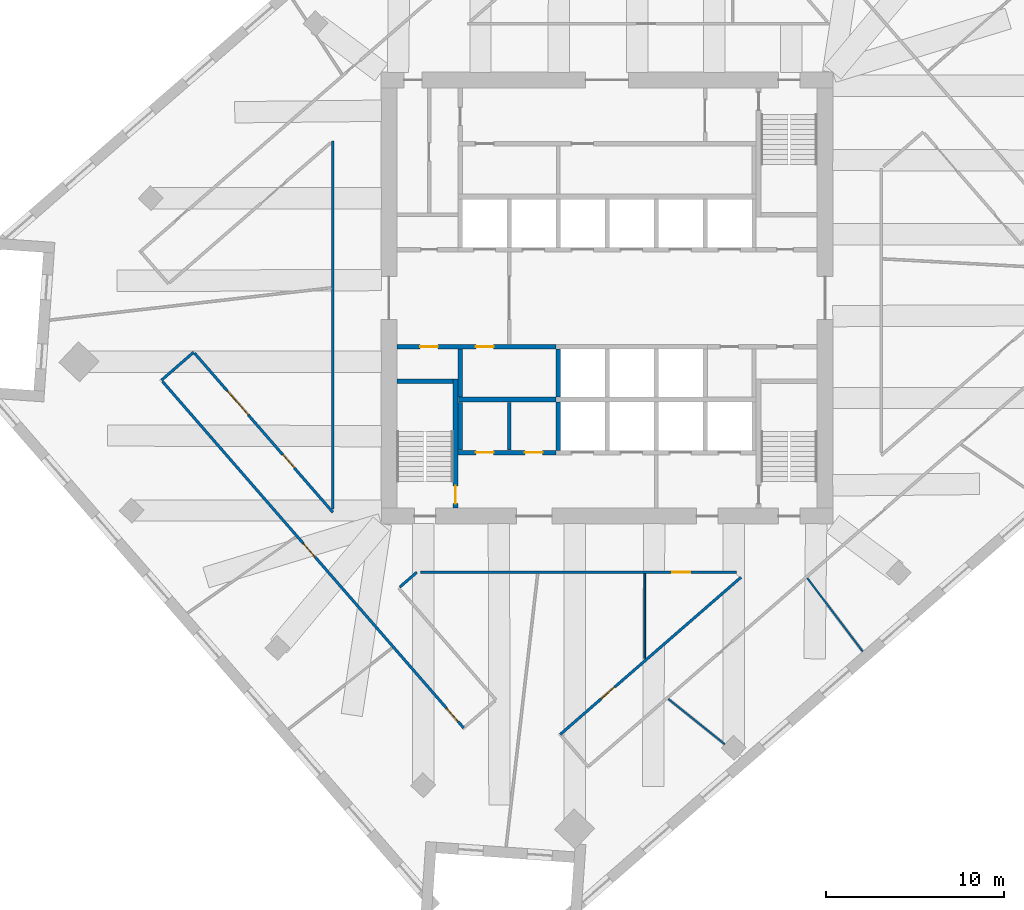
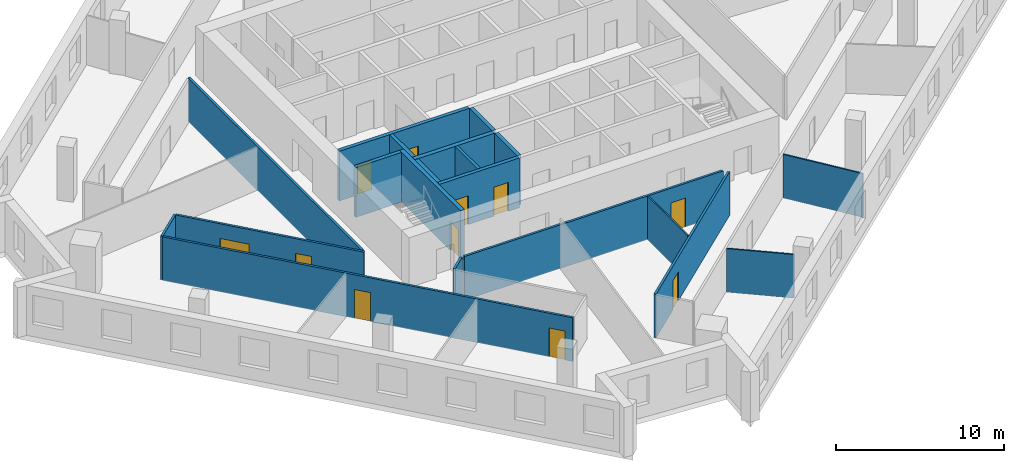
# One storey, part 4 of 11: 20 walls, 11 doors, 11 openings.
"""IFC4 building model written with IfcOpenShell, lengths in metres."""

from ifc_helpers import new_model, si_unit, direction, frame, frame_2d, origin, place, context, subcontext, project, spatial, rectangle, extrude, material, layer, layer_set, type_object, element, fill, save


model = new_model("IFC4")

# Units and contexts
model_context = context("Model", 3, precision=1e-05, world=origin(), true_north=direction((0.0, 1.0)))
body_context = subcontext(model_context, "Body", "Model", "MODEL_VIEW")
ifc_project = project(units=[si_unit("LENGTHUNIT", "METRE"), si_unit("AREAUNIT", "SQUARE_METRE"), si_unit("VOLUMEUNIT", "CUBIC_METRE"), si_unit("PLANEANGLEUNIT", "RADIAN"), si_unit("MASSUNIT", "GRAM", prefix="KILO")], contexts=[model_context])

# Site, building, storey
site_placement = place(None, origin())
site = spatial("IfcSite", under=ifc_project, at=site_placement, CompositionType="ELEMENT")
building_placement = place(site_placement, origin())
building = spatial("IfcBuilding", under=site, at=building_placement, Name="Dilmun Exchange Tower", CompositionType="ELEMENT")
storey_placement = place(building_placement, frame((0.0, 0.0, 189.300048828125)))
storey = spatial("IfcBuildingStorey", under=building, at=storey_placement, Name="L44", CompositionType="ELEMENT", Elevation=189.300048828125)

# Wall
ifc_material_1 = material(Name="Concrete C40/50", Category="concrete")
ifc_layer_1 = layer(ifc_material_1, 0.199951171875)
ifc_layer_set_1 = layer_set([ifc_layer_1], Name="Concrete C40/50")
wall_type_1 = type_object("IfcWallType", Name="Core partition wall 200", PredefinedType="PARTITIONING", material=ifc_layer_set_1)
wall_1_placement = place(storey_placement, frame((-5.5, -8.544921875, 0.0), z_axis=(0.0, 0.0, 1.0), x_axis=(0.0, 1.0, 0.0)))
element("IfcWall", 1, at=wall_1_placement, inside=storey, type_object=wall_type_1, Name="L44 core partition wall 04", PredefinedType="PARTITIONING", context=body_context, shape_type="SweptSolid", body=[
    extrude(rectangle(XDim=2.68994140625, YDim=0.199951171875, at=frame_2d((1.344970703125, 0.0))), origin(), (0.0, 0.0, 1.0), 3.619873046875),
])

# Wall, openings, doors
ifc_layer_2 = layer(ifc_material_1, 0.25)
ifc_layer_set_2 = layer_set([ifc_layer_2], Name="Concrete C40/50")
wall_type_2 = type_object("IfcWallType", Name="Core partition wall 250", PredefinedType="PARTITIONING", material=ifc_layer_set_2)
wall_2_placement = place(storey_placement, frame((-8.3701171875, -8.675048828125, 0.0), z_axis=(0.0, 0.0, 1.0), x_axis=(1.0, 0.0, 0.0)))
wall_2 = element("IfcWall", 2, at=wall_2_placement, inside=storey, type_object=wall_type_2, Name="L44 core partition wall 02", PredefinedType="PARTITIONING", context=body_context, shape_type="SweptSolid", body=[
    extrude(rectangle(XDim=5.490234375, YDim=0.25, at=frame_2d((2.7451171875, 0.0))), origin(), (0.0, 0.0, 1.0), 3.619873046875),
])
opening_1_placement = place(wall_2_placement, frame((0.9951171875, 0.0, 0.0)))
opening_1 = element("IfcOpeningElement", 3, at=opening_1_placement, cuts=wall_2, Name="Opening CD4", PredefinedType="OPENING", context=body_context, shape_type="SweptSolid", body=[
    extrude(rectangle(XDim=1.0, YDim=2.10009765625, at=frame_2d((0.5, 1.050048828125))), frame((0.0, 0.135009765625, 0.0), z_axis=(0.0, -1.0, 0.0), x_axis=(1.0, 0.0, 0.0)), (0.0, 0.0, 1.0), 0.27001953125),
])
opening_2_placement = place(wall_2_placement, frame((3.7451171875, 0.0, 0.0)))
opening_2 = element("IfcOpeningElement", 4, at=opening_2_placement, cuts=wall_2, Name="Opening CD4", PredefinedType="OPENING", context=body_context, shape_type="SweptSolid", body=[
    extrude(rectangle(XDim=1.0, YDim=2.10009765625, at=frame_2d((0.5, 1.050048828125))), frame((0.0, 0.135009765625, 0.0), z_axis=(0.0, -1.0, 0.0), x_axis=(1.0, 0.0, 0.0)), (0.0, 0.0, 1.0), 0.27001953125),
])
ifc_material_2 = material(Name="Fire-rated steel door set", Category="steel")
door_type_1 = type_object("IfcDoorType", Name="Core room door 1000x2100", OperationType="SINGLE_SWING_LEFT", PredefinedType="DOOR", material=ifc_material_2)
door_1_placement = place(opening_1_placement, origin())
door_1 = element("IfcDoor", 5, at=door_1_placement, inside=storey, type_object=door_type_1, Name="L44 door Male WC", OperationType="SINGLE_SWING_LEFT", OverallHeight=2.10009765625, OverallWidth=1.0, PredefinedType="DOOR", context=body_context, shape_type="SweptSolid", body=[
    extrude(rectangle(XDim=1.0, YDim=2.10009765625, at=frame_2d((0.5, 1.050048828125))), frame((0.0, 0.02490234375, 0.0), z_axis=(0.0, -1.0, 0.0), x_axis=(1.0, 0.0, 0.0)), (0.0, 0.0, 1.0), 0.050048828125),
])
fill(opening_1, door_1)
door_2_placement = place(opening_2_placement, origin())
door_2 = element("IfcDoor", 6, at=door_2_placement, inside=storey, type_object=door_type_1, Name="L44 door Female WC", OperationType="SINGLE_SWING_LEFT", OverallHeight=2.10009765625, OverallWidth=1.0, PredefinedType="DOOR", context=body_context, shape_type="SweptSolid", body=[
    extrude(rectangle(XDim=1.0, YDim=2.10009765625, at=frame_2d((0.5, 1.050048828125))), frame((0.0, 0.02490234375, 0.0), z_axis=(0.0, -1.0, 0.0), x_axis=(1.0, 0.0, 0.0)), (0.0, 0.0, 1.0), 0.050048828125),
])
fill(opening_2, door_2)

# Walls
for number, where, z_axis, x_axis, name in (
    (7, (-8.25, -8.544921875, 0.0), (0.0, 0.0, 1.0), (0.0, 1.0, 0.0), "L44 core partition wall 03"),
    (8, (-8.25, -5.544921875, 0.0), (0.0, 0.0, 1.0), (0.0, 1.0, 0.0), "L44 core partition wall 06"),
):
    element("IfcWall", number, at=place(storey_placement, frame(where, z_axis=z_axis, x_axis=x_axis)), inside=storey, type_object=wall_type_2, Name=name, PredefinedType="PARTITIONING", context=body_context, shape_type="SweptSolid", body=[
        extrude(rectangle(XDim=2.68994140625, YDim=0.25, at=frame_2d((1.344970703125, 0.0))), origin(), (0.0, 0.0, 1.0), 3.619873046875),
    ])

# Wall, openings, doors
wall_3_placement = place(storey_placement, frame((-11.794921875, -2.72509765625, 0.0), z_axis=(0.0, 0.0, 1.0), x_axis=(1.0, 0.0, 0.0)))
wall_3 = element("IfcWall", 9, at=wall_3_placement, inside=storey, type_object=wall_type_2, Name="L44 core partition wall 08", PredefinedType="PARTITIONING", context=body_context, shape_type="SweptSolid", body=[
    extrude(rectangle(XDim=8.9150390625, YDim=0.25, at=frame_2d((4.45751953125, 0.0))), origin(), (0.0, 0.0, 1.0), 3.619873046875),
])
opening_3_placement = place(wall_3_placement, frame((1.294921875, 0.0, 0.0)))
opening_3 = element("IfcOpeningElement", 10, at=opening_3_placement, cuts=wall_3, Name="Opening CD4", PredefinedType="OPENING", context=body_context, shape_type="SweptSolid", body=[
    extrude(rectangle(XDim=1.0, YDim=2.10009765625, at=frame_2d((0.5, 1.050048828125))), frame((0.0, 0.135009765625, 0.0), z_axis=(0.0, -1.0, 0.0), x_axis=(1.0, 0.0, 0.0)), (0.0, 0.0, 1.0), 0.27001953125),
])
opening_4_placement = place(wall_3_placement, frame((4.419921875, 0.0, 0.0)))
opening_4 = element("IfcOpeningElement", 11, at=opening_4_placement, cuts=wall_3, Name="Opening CD4", PredefinedType="OPENING", context=body_context, shape_type="SweptSolid", body=[
    extrude(rectangle(XDim=1.0, YDim=2.10009765625, at=frame_2d((0.5, 1.050048828125))), frame((0.0, 0.135009765625, 0.0), z_axis=(0.0, -1.0, 0.0), x_axis=(1.0, 0.0, 0.0)), (0.0, 0.0, 1.0), 0.27001953125),
])
door_3_placement = place(opening_3_placement, origin())
door_3 = element("IfcDoor", 12, at=door_3_placement, inside=storey, type_object=door_type_1, Name="L44 door Accessible WC", OperationType="SINGLE_SWING_LEFT", OverallHeight=2.10009765625, OverallWidth=1.0, PredefinedType="DOOR", context=body_context, shape_type="SweptSolid", body=[
    extrude(rectangle(XDim=1.0, YDim=2.10009765625, at=frame_2d((0.5, 1.050048828125))), frame((0.0, 0.02490234375, 0.0), z_axis=(0.0, -1.0, 0.0), x_axis=(1.0, 0.0, 0.0)), (0.0, 0.0, 1.0), 0.050048828125),
])
fill(opening_3, door_3)
door_4_placement = place(opening_4_placement, origin())
door_4 = element("IfcDoor", 13, at=door_4_placement, inside=storey, type_object=door_type_1, Name="L44 door Archive store", OperationType="SINGLE_SWING_LEFT", OverallHeight=2.10009765625, OverallWidth=1.0, PredefinedType="DOOR", context=body_context, shape_type="SweptSolid", body=[
    extrude(rectangle(XDim=1.0, YDim=2.10009765625, at=frame_2d((0.5, 1.050048828125))), frame((0.0, 0.02490234375, 0.0), z_axis=(0.0, -1.0, 0.0), x_axis=(1.0, 0.0, 0.0)), (0.0, 0.0, 1.0), 0.050048828125),
])
fill(opening_4, door_4)

# Walls
ifc_layer_3 = layer(ifc_material_1, 0.300048828125)
ifc_layer_set_3 = layer_set([ifc_layer_3], Name="Concrete C40/50")
wall_type_3 = type_object("IfcWallType", Name="Core partition wall 300", PredefinedType="PARTITIONING", material=ifc_layer_set_3)
wall_4_placement = place(storey_placement, frame((-8.35009765625, -5.699951171875, 0.0), z_axis=(0.0, 0.0, 1.0), x_axis=(1.0, 0.0, 0.0)))
element("IfcWall", 14, at=wall_4_placement, inside=storey, type_object=wall_type_3, Name="L44 core partition wall 05", PredefinedType="PARTITIONING", context=body_context, shape_type="SweptSolid", body=[
    extrude(rectangle(XDim=5.47021484375, YDim=0.300048828125, at=frame_2d((2.735107421875, 0.0))), origin(), (0.0, 0.0, 1.0), 3.619873046875),
])
ifc_material_3 = material(Name="Corridor wall 150")
ifc_layer_4 = layer(ifc_material_3, 0.14990234375)
ifc_layer_set_4 = layer_set([ifc_layer_4], Name="Corridor wall 150")
wall_type_4 = type_object("IfcWallType", Name="Corridor wall 150", PredefinedType="PARTITIONING", material=ifc_layer_set_4)
wall_5_placement = place(storey_placement, frame((-25.029052734375, -4.615966796875, 0.0), z_axis=(0.0, 0.0, 1.0), x_axis=(0.75457705231, 0.656211453822, 0.0)))
element("IfcWall", 15, at=wall_5_placement, inside=storey, type_object=wall_type_4, Name="Corridor wall", PredefinedType="PARTITIONING", context=body_context, shape_type="SweptSolid", body=[
    extrude(rectangle(XDim=2.400146484375, YDim=0.14990234375, at=frame_2d((1.2001953125, 0.0))), origin(), (0.0, 0.0, 1.0), 3.169921875),
])

# Wall, openings, doors
wall_6_placement = place(storey_placement, frame((-24.979736328125, -4.672607421875, 0.0), z_axis=(0.0, 0.0, 1.0), x_axis=(0.656048444225, -0.754718781289, 0.0)))
wall_6 = element("IfcWall", 16, at=wall_6_placement, inside=storey, type_object=wall_type_4, Name="Corridor wall", PredefinedType="PARTITIONING", context=body_context, shape_type="SweptSolid", body=[
    extrude(rectangle(XDim=25.799560546875, YDim=0.14990234375, at=frame_2d((12.89990234375, 0.0))), origin(), (0.0, 0.0, 1.0), 3.169921875),
])
opening_5_placement = place(wall_6_placement, frame((12.07080078125, 0.0, 0.0)))
opening_5 = element("IfcOpeningElement", 17, at=opening_5_placement, cuts=wall_6, Name="Opening TF44-D05", PredefinedType="OPENING", context=body_context, shape_type="SweptSolid", body=[
    extrude(rectangle(XDim=1.0, YDim=2.10009765625, at=frame_2d((0.5, 1.050048828125))), frame((0.0, 0.0849609375, 0.0), z_axis=(0.0, -1.0, 0.0), x_axis=(1.0, 0.0, 0.0)), (0.0, 0.0, 1.0), 0.169921875),
])
opening_6_placement = place(wall_6_placement, frame((24.31787109375, 0.0, 0.0)))
opening_6 = element("IfcOpeningElement", 18, at=opening_6_placement, cuts=wall_6, Name="Opening TF44-D07", PredefinedType="OPENING", context=body_context, shape_type="SweptSolid", body=[
    extrude(rectangle(XDim=1.0, YDim=2.10009765625, at=frame_2d((0.5, 1.050048828125))), frame((0.0, 0.0849609375, 0.0), z_axis=(0.0, -1.0, 0.0), x_axis=(1.0, 0.0, 0.0)), (0.0, 0.0, 1.0), 0.169921875),
])
ifc_material_4 = material(Name="Fire door 1000 x 2100")
door_type_2 = type_object("IfcDoorType", Name="Fire door 1000 x 2100", OperationType="NOTDEFINED", PredefinedType="DOOR", material=ifc_material_4)
door_5_placement = place(opening_5_placement, frame((1.0, 0.0, 0.0), z_axis=(0.0, 0.0, 1.0), x_axis=(-1.0, 0.0, 0.0)))
door_5 = element("IfcDoor", 19, at=door_5_placement, inside=storey, type_object=door_type_2, Name="Door TF44-D05", OperationType="SINGLE_SWING_LEFT", OverallHeight=2.10009765625, OverallWidth=1.0, PredefinedType="DOOR", context=body_context, shape_type="SweptSolid", body=[
    extrude(rectangle(XDim=1.0, YDim=2.10009765625, at=frame_2d((0.5, 1.050048828125))), frame((0.0, 0.02490234375, 0.0), z_axis=(0.0, -1.0, 0.0), x_axis=(1.0, 0.0, 0.0)), (0.0, 0.0, 1.0), 0.050048828125),
])
fill(opening_5, door_5)
door_6_placement = place(opening_6_placement, frame((1.0, 0.0, 0.0), z_axis=(0.0, 0.0, 1.0), x_axis=(-1.0, 0.0, 0.0)))
door_6 = element("IfcDoor", 20, at=door_6_placement, inside=storey, type_object=door_type_2, Name="Door TF44-D07", OperationType="SINGLE_SWING_LEFT", OverallHeight=2.10009765625, OverallWidth=1.0, PredefinedType="DOOR", context=body_context, shape_type="SweptSolid", body=[
    extrude(rectangle(XDim=1.0, YDim=2.10009765625, at=frame_2d((0.5, 1.050048828125))), frame((0.0, 0.02490234375, 0.0), z_axis=(0.0, -1.0, 0.0), x_axis=(1.0, 0.0, 0.0)), (0.0, 0.0, 1.0), 0.050048828125),
])
fill(opening_6, door_6)

wall_7_placement = place(storey_placement, frame((-23.168701171875, -3.09765625, 0.0), z_axis=(0.0, 0.0, 1.0), x_axis=(0.656047525283, -0.754719580089, 0.0)))
wall_7 = element("IfcWall", 21, at=wall_7_placement, inside=storey, type_object=wall_type_4, Name="Corridor wall", PredefinedType="PARTITIONING", context=body_context, shape_type="SweptSolid", body=[
    extrude(rectangle(XDim=11.841796875, YDim=0.14990234375, at=frame_2d((5.9208984375, 0.0))), origin(), (0.0, 0.0, 1.0), 3.169921875),
])
opening_7_placement = place(wall_7_placement, frame((2.800048828125, 0.0, 0.0)))
opening_7 = element("IfcOpeningElement", 22, at=opening_7_placement, cuts=wall_7, Name="Opening TF44-D01", PredefinedType="OPENING", context=body_context, shape_type="SweptSolid", body=[
    extrude(rectangle(XDim=1.800048828125, YDim=2.10009765625, at=frame_2d((0.89990234375, 1.050048828125))), frame((0.0, 0.0849609375, 0.0), z_axis=(0.0, -1.0, 0.0), x_axis=(1.0, 0.0, 0.0)), (0.0, 0.0, 1.0), 0.169921875),
])
opening_8_placement = place(wall_7_placement, frame((7.550048828125, 0.0, 0.0)))
opening_8 = element("IfcOpeningElement", 23, at=opening_8_placement, cuts=wall_7, Name="Opening TF44-D02", PredefinedType="OPENING", context=body_context, shape_type="SweptSolid", body=[
    extrude(rectangle(XDim=1.0, YDim=2.10009765625, at=frame_2d((0.5, 1.050048828125))), frame((0.0, 0.0849609375, 0.0), z_axis=(0.0, -1.0, 0.0), x_axis=(1.0, 0.0, 0.0)), (0.0, 0.0, 1.0), 0.169921875),
])
door_7_placement = place(opening_8_placement, origin())
door_7 = element("IfcDoor", 24, at=door_7_placement, inside=storey, type_object=door_type_2, Name="Door TF44-D02", OperationType="SINGLE_SWING_RIGHT", OverallHeight=2.10009765625, OverallWidth=1.0, PredefinedType="DOOR", context=body_context, shape_type="SweptSolid", body=[
    extrude(rectangle(XDim=1.0, YDim=2.10009765625, at=frame_2d((0.5, 1.050048828125))), frame((0.0, 0.02490234375, 0.0), z_axis=(0.0, -1.0, 0.0), x_axis=(1.0, 0.0, 0.0)), (0.0, 0.0, 1.0), 0.050048828125),
])
fill(opening_8, door_7)
ifc_material_5 = material(Name="Fire door pair 1800 x 2100")
door_type_3 = type_object("IfcDoorType", Name="Fire door pair 1800 x 2100", OperationType="NOTDEFINED", PredefinedType="DOOR", material=ifc_material_5)
door_8_placement = place(opening_7_placement, origin())
door_8 = element("IfcDoor", 25, at=door_8_placement, inside=storey, type_object=door_type_3, Name="Door TF44-D01", OperationType="DOUBLE_DOOR_SINGLE_SWING", OverallHeight=2.10009765625, OverallWidth=1.800048828125, PredefinedType="DOOR", context=body_context, shape_type="SweptSolid", body=[
    extrude(rectangle(XDim=1.800048828125, YDim=2.10009765625, at=frame_2d((0.89990234375, 1.050048828125))), frame((0.0, 0.02490234375, 0.0), z_axis=(0.0, -1.0, 0.0), x_axis=(1.0, 0.0, 0.0)), (0.0, 0.0, 1.0), 0.050048828125),
])
fill(opening_7, door_8)

# Walls
wall_8_placement = place(storey_placement, frame((-15.39990234375, -11.83447265625, 0.0), z_axis=(0.0, 0.0, 1.0), x_axis=(0.0, 1.0, 0.0)))
element("IfcWall", 26, at=wall_8_placement, inside=storey, type_object=wall_type_4, Name="Corridor wall", PredefinedType="PARTITIONING", context=body_context, shape_type="SweptSolid", body=[
    extrude(rectangle(XDim=20.66552734375, YDim=0.14990234375, at=frame_2d((10.332763671875, 0.0))), origin(), (0.0, 0.0, 1.0), 3.169921875),
])
wall_9_placement = place(storey_placement, frame((-11.6484375, -16.23583984375, 0.0), z_axis=(0.0, 0.0, 1.0), x_axis=(0.754638525281, 0.656140759412, 0.0)))
element("IfcWall", 27, at=wall_9_placement, inside=storey, type_object=wall_type_4, Name="Corridor wall", PredefinedType="PARTITIONING", context=body_context, shape_type="SweptSolid", body=[
    extrude(rectangle(XDim=1.27392578125, YDim=0.14990234375, at=frame_2d((0.636962890625, 0.0))), origin(), (0.0, 0.0, 1.0), 3.169921875),
])

# Wall, opening, door
wall_10_placement = place(storey_placement, frame((-10.486328125, -15.39990234375, 0.0), z_axis=(0.0, 0.0, 1.0), x_axis=(1.0, 0.0, 0.0)))
wall_10 = element("IfcWall", 28, at=wall_10_placement, inside=storey, type_object=wall_type_4, Name="Corridor wall", PredefinedType="PARTITIONING", context=body_context, shape_type="SweptSolid", body=[
    extrude(rectangle(XDim=17.763427734375, YDim=0.14990234375, at=frame_2d((8.8818359375, 0.0))), origin(), (0.0, 0.0, 1.0), 3.169921875),
])
opening_9_placement = place(wall_10_placement, frame((14.154052734375, 0.0, 0.0)))
opening_9 = element("IfcOpeningElement", 29, at=opening_9_placement, cuts=wall_10, Name="Opening TF44-D09", PredefinedType="OPENING", context=body_context, shape_type="SweptSolid", body=[
    extrude(rectangle(XDim=1.0, YDim=2.10009765625, at=frame_2d((0.5, 1.050048828125))), frame((0.0, 0.0849609375, 0.0), z_axis=(0.0, -1.0, 0.0), x_axis=(1.0, 0.0, 0.0)), (0.0, 0.0, 1.0), 0.169921875),
])
door_9_placement = place(opening_9_placement, frame((1.0, 0.0, 0.0), z_axis=(0.0, 0.0, 1.0), x_axis=(-1.0, 0.0, 0.0)))
door_9 = element("IfcDoor", 30, at=door_9_placement, inside=storey, type_object=door_type_2, Name="Door TF44-D09", OperationType="SINGLE_SWING_LEFT", OverallHeight=2.10009765625, OverallWidth=1.0, PredefinedType="DOOR", context=body_context, shape_type="SweptSolid", body=[
    extrude(rectangle(XDim=1.0, YDim=2.10009765625, at=frame_2d((0.5, 1.050048828125))), frame((0.0, 0.02490234375, 0.0), z_axis=(0.0, -1.0, 0.0), x_axis=(1.0, 0.0, 0.0)), (0.0, 0.0, 1.0), 0.050048828125),
])
fill(opening_9, door_9)

wall_11_placement = place(storey_placement, frame((-2.631103515625, -24.5048828125, 0.0), z_axis=(0.0, 0.0, 1.0), x_axis=(0.754714526528, 0.656053338874, 0.0)))
wall_11 = element("IfcWall", 31, at=wall_11_placement, inside=storey, type_object=wall_type_4, Name="Corridor wall", PredefinedType="PARTITIONING", context=body_context, shape_type="SweptSolid", body=[
    extrude(rectangle(XDim=13.45166015625, YDim=0.14990234375, at=frame_2d((6.725830078125, 0.0))), origin(), (0.0, 0.0, 1.0), 3.169921875),
])
opening_10_placement = place(wall_11_placement, frame((3.050048828125, 0.0, 0.0)))
opening_10 = element("IfcOpeningElement", 32, at=opening_10_placement, cuts=wall_11, Name="Opening TF44-D08", PredefinedType="OPENING", context=body_context, shape_type="SweptSolid", body=[
    extrude(rectangle(XDim=1.0, YDim=2.10009765625, at=frame_2d((0.5, 1.050048828125))), frame((0.0, 0.0849609375, 0.0), z_axis=(0.0, -1.0, 0.0), x_axis=(1.0, 0.0, 0.0)), (0.0, 0.0, 1.0), 0.169921875),
])
door_10_placement = place(opening_10_placement, origin())
door_10 = element("IfcDoor", 33, at=door_10_placement, inside=storey, type_object=door_type_2, Name="Door TF44-D08", OperationType="SINGLE_SWING_RIGHT", OverallHeight=2.10009765625, OverallWidth=1.0, PredefinedType="DOOR", context=body_context, shape_type="SweptSolid", body=[
    extrude(rectangle(XDim=1.0, YDim=2.10009765625, at=frame_2d((0.5, 1.050048828125))), frame((0.0, 0.02490234375, 0.0), z_axis=(0.0, -1.0, 0.0), x_axis=(1.0, 0.0, 0.0)), (0.0, 0.0, 1.0), 0.050048828125),
])
fill(opening_10, door_10)

# Walls
ifc_layer_5 = layer(ifc_material_1, 0.25)
ifc_layer_set_5 = layer_set([ifc_layer_5], Name="Concrete C40/50")
wall_type_5 = type_object("IfcWallType", Name="Lift shaft wall 250", PredefinedType="SOLIDWALL", material=ifc_layer_set_5)
for number, where, z_axis, x_axis, name in (
    (34, (-2.75, -5.550048828125, 0.0), (0.0, 0.0, 1.0), (0.0, 1.0, 0.0), "L44 lift shaft divider S12"),
    (35, (-2.75, -8.550048828125, 0.0), (0.0, 0.0, 1.0), (0.0, 1.0, 0.0), "L44 lift shaft divider S22"),
):
    element("IfcWall", number, at=place(storey_placement, frame(where, z_axis=z_axis, x_axis=x_axis)), inside=storey, type_object=wall_type_5, Name=name, PredefinedType="SOLIDWALL", context=body_context, shape_type="SweptSolid", body=[
        extrude(rectangle(XDim=2.699951171875, YDim=0.25, at=frame_2d((1.35009765625, 0.0))), origin(), (0.0, 0.0, 1.0), 3.619873046875),
    ])
ifc_material_6 = material(Name="Partition 100")
ifc_layer_6 = layer(ifc_material_6, 0.10009765625)
ifc_layer_set_6 = layer_set([ifc_layer_6], Name="Partition 100")
wall_type_6 = type_object("IfcWallType", Name="Partition 100", PredefinedType="PARTITIONING", material=ifc_layer_set_6)
wall_12_placement = place(storey_placement, frame((2.117919921875, -20.234130859375, 0.0), z_axis=(0.0, 0.0, 1.0), x_axis=(0.0, 1.0, 0.0)))
element("IfcWall", 36, at=wall_12_placement, inside=storey, type_object=wall_type_6, Name="Partition", PredefinedType="PARTITIONING", context=body_context, shape_type="SweptSolid", body=[
    extrude(rectangle(XDim=4.759033203125, YDim=0.10009765625, at=frame_2d((2.37939453125, 0.0))), origin(), (0.0, 0.0, 1.0), 3.169921875),
])
wall_13_placement = place(storey_placement, frame((3.44140625, -22.517333984375, 0.0), z_axis=(0.0, 0.0, 1.0), x_axis=(0.780129784841, -0.62561770979, 0.0)))
element("IfcWall", 37, at=wall_13_placement, inside=storey, type_object=wall_type_6, Name="Partition", PredefinedType="PARTITIONING", context=body_context, shape_type="SweptSolid", body=[
    extrude(rectangle(XDim=4.06396484375, YDim=0.10009765625, at=frame_2d((2.031982421875, 0.0))), origin(), (0.0, 0.0, 1.0), 3.169921875),
])
wall_14_placement = place(storey_placement, frame((11.243408203125, -15.728759765625, 0.0), z_axis=(0.0, 0.0, 1.0), x_axis=(0.602848474471, -0.797855699251, 0.0)))
element("IfcWall", 38, at=wall_14_placement, inside=storey, type_object=wall_type_6, Name="Partition", PredefinedType="PARTITIONING", context=body_context, shape_type="SweptSolid", body=[
    extrude(rectangle(XDim=5.1630859375, YDim=0.10009765625, at=frame_2d((2.58154296875, 0.0))), origin(), (0.0, 0.0, 1.0), 3.169921875),
])
ifc_layer_7 = layer(ifc_material_1, 0.25)
ifc_layer_set_7 = layer_set([ifc_layer_7], Name="Concrete C40/50")
wall_type_7 = type_object("IfcWallType", Name="Stair end wall 250", PredefinedType="SOLIDWALL", material=ifc_layer_set_7)
wall_15_placement = place(storey_placement, frame((-8.64990234375, -4.675048828125, 0.0), z_axis=(0.0, 0.0, 1.0), x_axis=(-1.0, 0.0, 0.0)))
element("IfcWall", 39, at=wall_15_placement, inside=storey, type_object=wall_type_7, Name="L44 ST2 far wall", PredefinedType="SOLIDWALL", context=body_context, shape_type="SweptSolid", body=[
    extrude(rectangle(XDim=3.150146484375, YDim=0.25, at=frame_2d((1.5751953125, 0.0))), origin(), (0.0, 0.0, 1.0), 3.619873046875),
])

# Wall, opening, door
ifc_layer_8 = layer(ifc_material_1, 0.27490234375)
ifc_layer_set_8 = layer_set([ifc_layer_8], Name="Concrete C40/50")
wall_type_8 = type_object("IfcWallType", Name="Stair wall 275", PredefinedType="SOLIDWALL", material=ifc_layer_set_8)
wall_16_placement = place(storey_placement, frame((-8.512451171875, -4.550048828125, 0.0), z_axis=(0.0, 0.0, 1.0), x_axis=(0.0, -1.0, 0.0)))
wall_16 = element("IfcWall", 40, at=wall_16_placement, inside=storey, type_object=wall_type_8, Name="L44 ST2 wall to lift block", PredefinedType="SOLIDWALL", context=body_context, shape_type="SweptSolid", body=[
    extrude(rectangle(XDim=7.25, YDim=0.27490234375, at=frame_2d((3.625, 0.0))), origin(), (0.0, 0.0, 1.0), 3.619873046875),
])
opening_11_placement = place(wall_16_placement, frame((6.0, 0.0, 0.0)))
opening_11 = element("IfcOpeningElement", 41, at=opening_11_placement, cuts=wall_16, Name="Opening CD4", PredefinedType="OPENING", context=body_context, shape_type="SweptSolid", body=[
    extrude(rectangle(XDim=1.0, YDim=2.10009765625, at=frame_2d((0.5, 1.050048828125))), frame((0.0, 0.1474609375, 0.0), z_axis=(0.0, -1.0, 0.0), x_axis=(1.0, 0.0, 0.0)), (0.0, 0.0, 1.0), 0.294921875),
])
door_11_placement = place(opening_11_placement, origin())
door_11 = element("IfcDoor", 42, at=door_11_placement, inside=storey, type_object=door_type_1, Name="L44 door ST2 from lobby", OperationType="SINGLE_SWING_LEFT", OverallHeight=2.10009765625, OverallWidth=1.0, PredefinedType="DOOR", context=body_context, shape_type="SweptSolid", body=[
    extrude(rectangle(XDim=1.0, YDim=2.10009765625, at=frame_2d((0.5, 1.050048828125))), frame((0.0, 0.02490234375, 0.0), z_axis=(0.0, -1.0, 0.0), x_axis=(1.0, 0.0, 0.0)), (0.0, 0.0, 1.0), 0.050048828125),
])
fill(opening_11, door_11)

save(model, "model.ifc")
